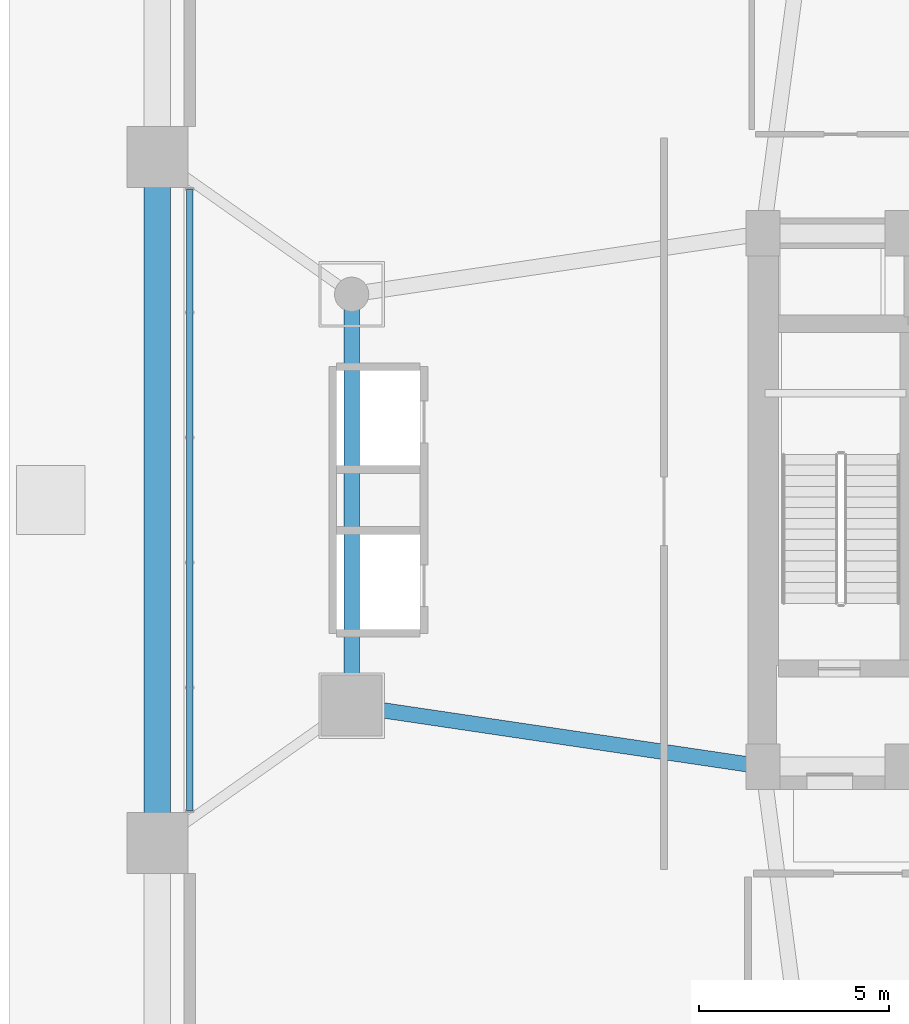
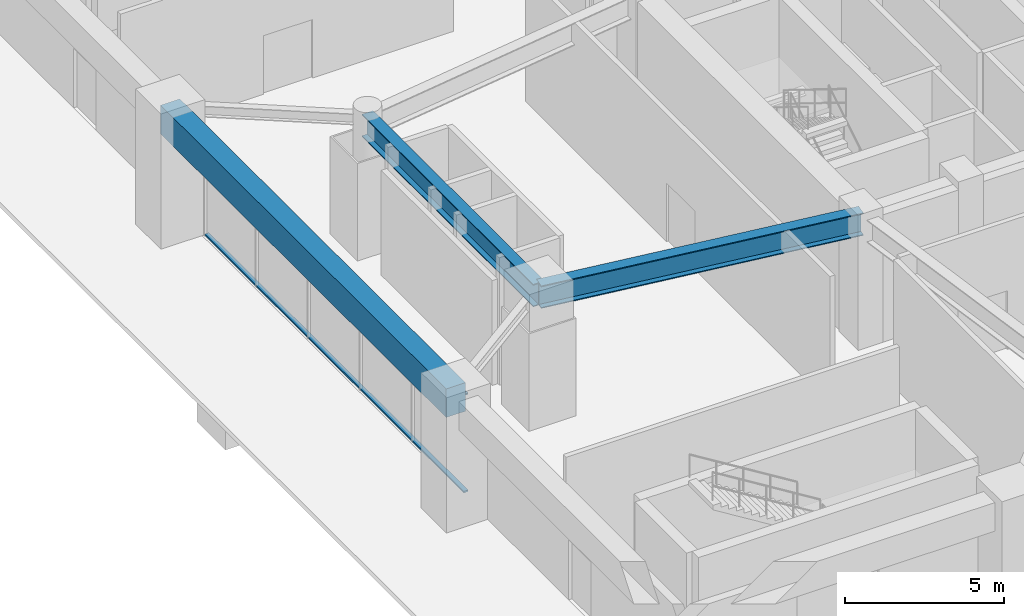
# One storey, part 7 of 27: 3 beams, 2 members, 1 element without a shape of its own.
"""IFC4 building model written with IfcOpenShell, lengths in metres."""

from ifc_helpers import new_model, si_unit, direction, frame, origin, origin_2d, place, context, subcontext, project, spatial, rectangle, hollow_rectangle, i_section, extrude, source, transform, mapped, material, layer, layer_set, material_profile, profile_set, type_object, element, aggregate, save


model = new_model("IFC4")

# Units and contexts
model_context = context("Model", 3, precision=1e-05, world=origin(), true_north=direction((0.0, 1.0)))
body_context = subcontext(model_context, "Body", "Model", "MODEL_VIEW")
ifc_project = project(units=[si_unit("LENGTHUNIT", "METRE"), si_unit("AREAUNIT", "SQUARE_METRE"), si_unit("VOLUMEUNIT", "CUBIC_METRE"), si_unit("PLANEANGLEUNIT", "RADIAN"), si_unit("MASSUNIT", "GRAM", prefix="KILO")], contexts=[model_context])

# Site, building, storey
site_placement = place(None, origin())
site = spatial("IfcSite", under=ifc_project, at=site_placement, CompositionType="ELEMENT")
building_placement = place(site_placement, origin())
building = spatial("IfcBuilding", under=site, at=building_placement, Name="Veraguas Prism Commons", CompositionType="ELEMENT")
storey_placement = place(building_placement, origin())
storey = spatial("IfcBuildingStorey", under=building, at=storey_placement, Name="L00", CompositionType="ELEMENT", Elevation=0.0)

# Beams
ifc_material_1 = material(Name="Steel ASTM A992 Grade 50", Category="steel")
ifc_material_profile_1 = material_profile(ifc_material_1, i_section(OverallWidth=0.403076171875, OverallDepth=0.867919921875, WebThickness=0.02099609375, FlangeThickness=0.03564453125, at=origin_2d()), Name="W840X359")
ifc_profile_set_1 = profile_set([ifc_material_profile_1], Name="Steel ASTM A992 Grade 50")
beam_type_1 = type_object("IfcBeamType", Name="Concourse Primary Girder W840x359", PredefinedType="BEAM", material=ifc_profile_set_1)
beam_1_placement = place(storey_placement, frame((6.39990234375, 18.60009765625, 4.466064453125), z_axis=(0.989202261707, -0.146556765224, 0.0), x_axis=(0.146556765224, 0.989202261707, 0.0)))
element("IfcBeam", 1, at=beam_1_placement, inside=storey, type_object=beam_type_1, Name="Concourse Radial Girder L00-TMR06", PredefinedType="BEAM", context=body_context, shape_type="SweptSolid", body=[
    extrude(i_section(OverallWidth=0.403076171875, OverallDepth=0.867919921875, WebThickness=0.02099609375, FlangeThickness=0.03564453125, at=origin_2d()), origin(), (0.0, 0.0, 1.0), 10.91796875),
])
beam_2_placement = place(storey_placement, frame((6.39990234375, 29.39990234375, 4.466064453125), z_axis=(0.0, -1.0, 0.0), x_axis=(1.0, 0.0, 0.0)))
element("IfcBeam", 2, at=beam_2_placement, inside=storey, type_object=beam_type_1, Name="Concourse Ring Girder L00-TMH05", PredefinedType="BEAM", context=body_context, shape_type="SweptSolid", body=[
    extrude(i_section(OverallWidth=0.403076171875, OverallDepth=0.867919921875, WebThickness=0.02099609375, FlangeThickness=0.03564453125, at=origin_2d()), origin(), (0.0, 0.0, 1.0), 10.7998046875),
])
ifc_material_2 = material(Name="Concrete C50/60", Category="concrete")
ifc_material_profile_2 = material_profile(ifc_material_2, rectangle(XDim=0.699951171875, YDim=1.10009765625, at=origin_2d()), Name="RC700X1100")
ifc_profile_set_2 = profile_set([ifc_material_profile_2], Name="Concrete C50/60")
beam_type_2 = type_object("IfcBeamType", Name="Podium Primary Girder RC 700x1100", PredefinedType="BEAM", material=ifc_profile_set_2)
beam_3_placement = place(storey_placement, frame((1.300048828125, 33.0, 4.35009765625), z_axis=(0.0, -1.0, 0.0), x_axis=(1.0, 0.0, 0.0)))
element("IfcBeam", 3, at=beam_3_placement, inside=storey, type_object=beam_type_2, Name="Podium Perimeter Girder L00-PDR13", PredefinedType="BEAM", context=body_context, shape_type="SweptSolid", body=[
    extrude(rectangle(XDim=0.699951171875, YDim=1.10009765625, at=origin_2d()), origin(), (0.0, 0.0, 1.0), 18.0),
])

# Curtain wall, members
ifc_material_3 = material(Name="Anodised aluminium EN AW-6063 T6", Category="aluminium")
ifc_layer = layer(ifc_material_3, 0.199951171875, Name="Metro Concourse Structural Glazing", Category="aluminium")
ifc_layer_set = layer_set([ifc_layer], Name="Anodised aluminium EN AW-6063 T6")
curtain_wall_type = type_object("IfcCurtainWallType", Name="Metro Concourse Structural Glazing", PredefinedType="NOTDEFINED", material=ifc_layer_set)
curtain_wall_placement = place(storey_placement, origin())
curtain_wall = element("IfcCurtainWall", 4, at=curtain_wall_placement, inside=storey, type_object=curtain_wall_type, Name="Via Espana Metro Concourse Curtain Wall L00-W02", PredefinedType="NOTDEFINED")
ifc_material_profile_3 = material_profile(ifc_material_3, hollow_rectangle(XDim=0.06005859375, YDim=0.159912109375, WallThickness=0.0029296875, at=origin_2d()), Name="AL60X160X3")
ifc_profile_set_3 = profile_set([ifc_material_profile_3], Name="Anodised aluminium EN AW-6063 T6")
member_type = type_object("IfcMemberType", Name="Curtain Wall Transom Heavy AL 60x160x3", PredefinedType="USERDEFINED", material=ifc_profile_set_3)
shared_shape = source(origin(), body_context, "Body", "SweptSolid", [
    extrude(hollow_rectangle(XDim=0.06005859375, YDim=0.159912109375, WallThickness=0.0029296875, at=origin_2d()), origin(), (0.0, 0.0, 1.0), 16.3349609375),
])
member_1_placement = place(storey_placement, frame((2.14990234375, 32.16748046875, 0.030029296875), z_axis=(0.0, -1.0, 0.0), x_axis=(0.0, 0.0, 1.0)))
member_1 = element("IfcMember", 5, at=member_1_placement, type_object=member_type, Name="CW-STN Transom 1", ObjectType="TRANSOM", PredefinedType="USERDEFINED", context=body_context, shape_type="MappedRepresentation", body=[
    mapped(shared_shape, transform((0.0, 0.0, 0.0), scale=1.0)),
])
member_2_placement = place(storey_placement, frame((2.14990234375, 32.16748046875, 3.77001953125), z_axis=(0.0, -1.0, 0.0), x_axis=(0.0, 0.0, 1.0)))
member_2 = element("IfcMember", 6, at=member_2_placement, type_object=member_type, Name="CW-STN Transom 2", ObjectType="TRANSOM", PredefinedType="USERDEFINED", context=body_context, shape_type="MappedRepresentation", body=[
    mapped(shared_shape, transform((0.0, 0.0, 0.0), scale=1.0)),
])
aggregate(curtain_wall, [member_1, member_2])

save(model, "model.ifc")
